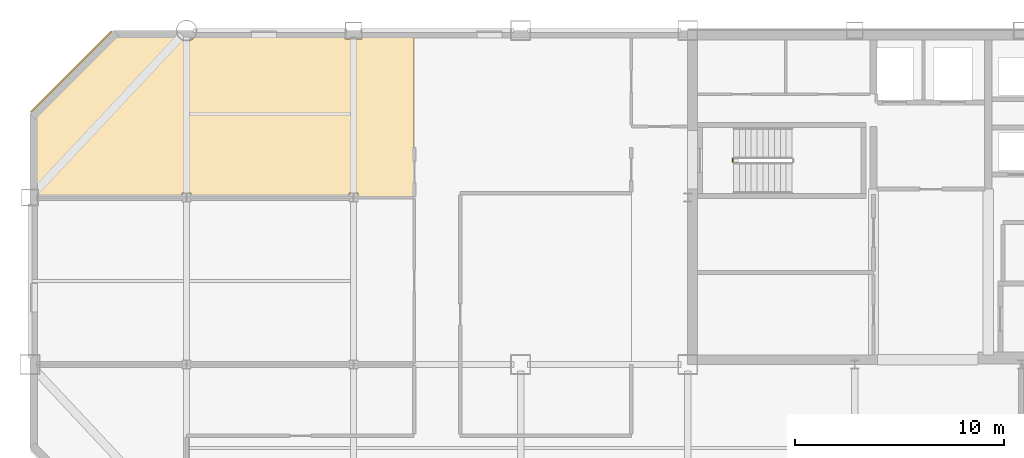
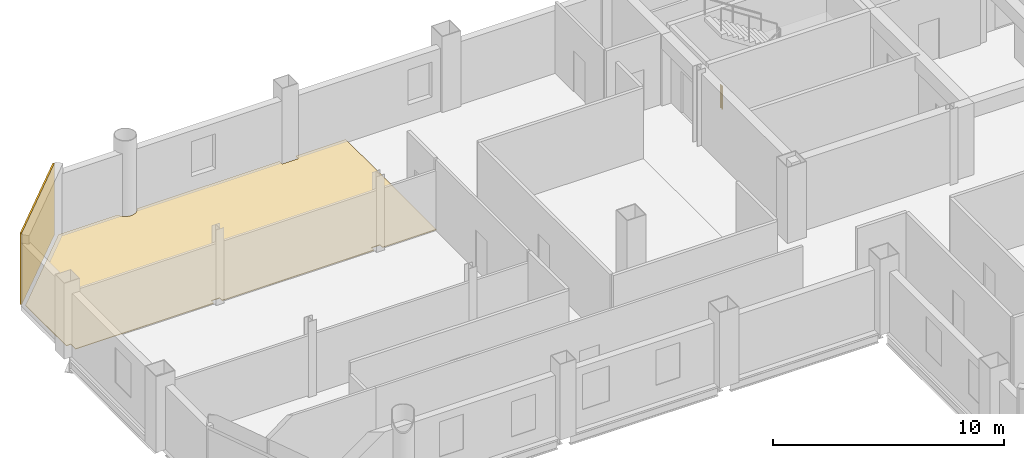
# One storey, part 9 of 10: 2 coverings, 1 railing.
"""IFC4 building model written with IfcOpenShell, lengths in metres."""

from ifc_helpers import new_model, si_unit, direction, frame, origin, origin_2d, place, context, subcontext, project, spatial, polyline, rectangle, circle, outline, extrude, material, layer, layer_set, type_object, element, save


model = new_model("IFC4")

# Units and contexts
model_context = context("Model", 3, precision=1e-05, world=origin(), true_north=direction((0.0, 1.0)))
body_context = subcontext(model_context, "Body", "Model", "MODEL_VIEW")
ifc_project = project(units=[si_unit("LENGTHUNIT", "METRE"), si_unit("AREAUNIT", "SQUARE_METRE"), si_unit("VOLUMEUNIT", "CUBIC_METRE"), si_unit("PLANEANGLEUNIT", "RADIAN"), si_unit("MASSUNIT", "GRAM", prefix="KILO")], contexts=[model_context])

# Site, building, storey
site_placement = place(None, origin())
site = spatial("IfcSite", under=ifc_project, at=site_placement, CompositionType="ELEMENT")
building_placement = place(site_placement, origin())
building = spatial("IfcBuilding", under=site, at=building_placement, Name="Qianrong Seaharbour Tower", CompositionType="ELEMENT")
storey_placement = place(building_placement, frame((0.0, 0.0, 249.800048828125)))
storey = spatial("IfcBuildingStorey", under=building, at=storey_placement, Name="L60", CompositionType="ELEMENT", Elevation=249.800048828125)

# Coverings
ifc_material_1 = material(Name="Unitised red brick cladding on Precast concrete C45/55", Category="masonry")
ifc_layer_1 = layer(ifc_material_1, 0.080078125)
ifc_layer_set_1 = layer_set([ifc_layer_1], Name="Unitised red brick cladding on Precast concrete C45/55")
covering_type_1 = type_object("IfcCoveringType", Name="COV-CLAD-RED-BRICK-80", PredefinedType="CLADDING", material=ifc_layer_set_1)
covering_1_placement = place(storey_placement, frame((10.9716796875, 50.0283203125, 0.0), z_axis=(0.0, 0.0, 1.0), x_axis=(0.707106781187, 0.707106781187, 0.0)))
element("IfcCovering", 1, at=covering_1_placement, inside=storey, type_object=covering_type_1, Name="L60 Chamfer Corner Brick Cladding 04", PredefinedType="CLADDING", context=body_context, shape_type="SweptSolid", body=[
    extrude(rectangle(XDim=5.456787109375, YDim=0.080078125, at=origin_2d()), origin(), (0.0, 0.0, 1.0), 3.77490234375),
])
ifc_material_2 = material(Name="Honed granite stone flooring", Category="masonry")
ifc_layer_2 = layer(ifc_material_2, 0.030029296875)
ifc_layer_set_2 = layer_set([ifc_layer_2], Name="Honed granite stone flooring")
covering_type_2 = type_object("IfcCoveringType", Name="COV-FLOOR-GRANITE-30", PredefinedType="FLOORING", material=ifc_layer_set_2)
covering_2_placement = place(storey_placement, origin())
element("IfcCovering", 2, at=covering_2_placement, inside=storey, type_object=covering_type_2, Name="L60 Hospitality Dining Room 3 Finish Flooring", PredefinedType="FLOORING", context=body_context, shape_type="SweptSolid", body=[
    extrude(outline(polyline([(9.175048828125, 47.927490234375), (13.072509765625, 51.824951171875), (16.022705078125, 51.824951171875), (16.02880859375, 51.8046875), (16.075927734375, 51.716796875), (16.139404296875, 51.639404296875), (16.216796875, 51.575927734375), (16.3046875, 51.52880859375), (16.400390625, 51.499755859375), (16.5, 51.489990234375), (16.599609375, 51.499755859375), (16.6953125, 51.52880859375), (16.783203125, 51.575927734375), (16.860595703125, 51.639404296875), (16.924072265625, 51.716796875), (16.97119140625, 51.8046875), (16.977294921875, 51.824951171875), (24.090087890625, 51.824951171875), (24.090087890625, 51.590087890625), (24.909912109375, 51.590087890625), (24.909912109375, 51.824951171875), (27.39990234375, 51.824951171875), (27.39990234375, 44.0), (24.7099609375, 44.0), (24.7099609375, 44.2099609375), (24.2900390625, 44.2099609375), (24.2900390625, 44.0), (16.7099609375, 44.0), (16.7099609375, 44.2099609375), (16.2900390625, 44.2099609375), (16.2900390625, 44.0), (9.409912109375, 44.0), (9.409912109375, 44.409912109375), (9.175048828125, 44.409912109375), (9.175048828125, 47.927490234375)])), origin(), (0.0, 0.0, 1.0), 0.030029296875),
])

# Railing
ifc_material_3 = material(Name="Galvanized painted steel SN400B stair guard", Category="steel")
railing_type = type_object("IfcRailingType", Name="RAIL-STAIR-GUARD-1220", PredefinedType="GUARDRAIL", material=ifc_material_3)
railing_placement = place(storey_placement, frame((42.64990234375, 45.699951171875, 0.0)))
element("IfcRailing", 3, at=railing_placement, inside=storey, type_object=railing_type, Name="L60 ST-1 stair guard 4", PredefinedType="GUARDRAIL", context=body_context, shape_type="SweptSolid", body=[
    extrude(circle(Radius=0.02392578125, at=origin_2d()), frame((0.0, 0.0, 1.19580078125), z_axis=(0.0, 1.0, 0.0), x_axis=(-1.0, 0.0, 0.0)), (0.0, 0.0, 1.0), 0.150146484375),
    extrude(circle(Radius=0.02099609375, at=origin_2d()), origin(), (0.0, 0.0, 1.0), 1.171875),
    extrude(circle(Radius=0.02099609375, at=origin_2d()), frame((0.0, 0.150146484375, 0.0)), (0.0, 0.0, 1.0), 1.171875),
])

save(model, "model.ifc")
